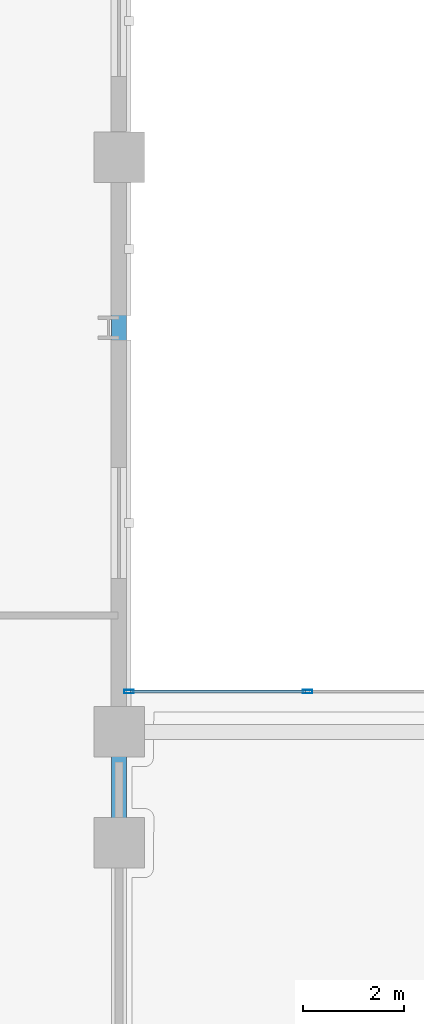
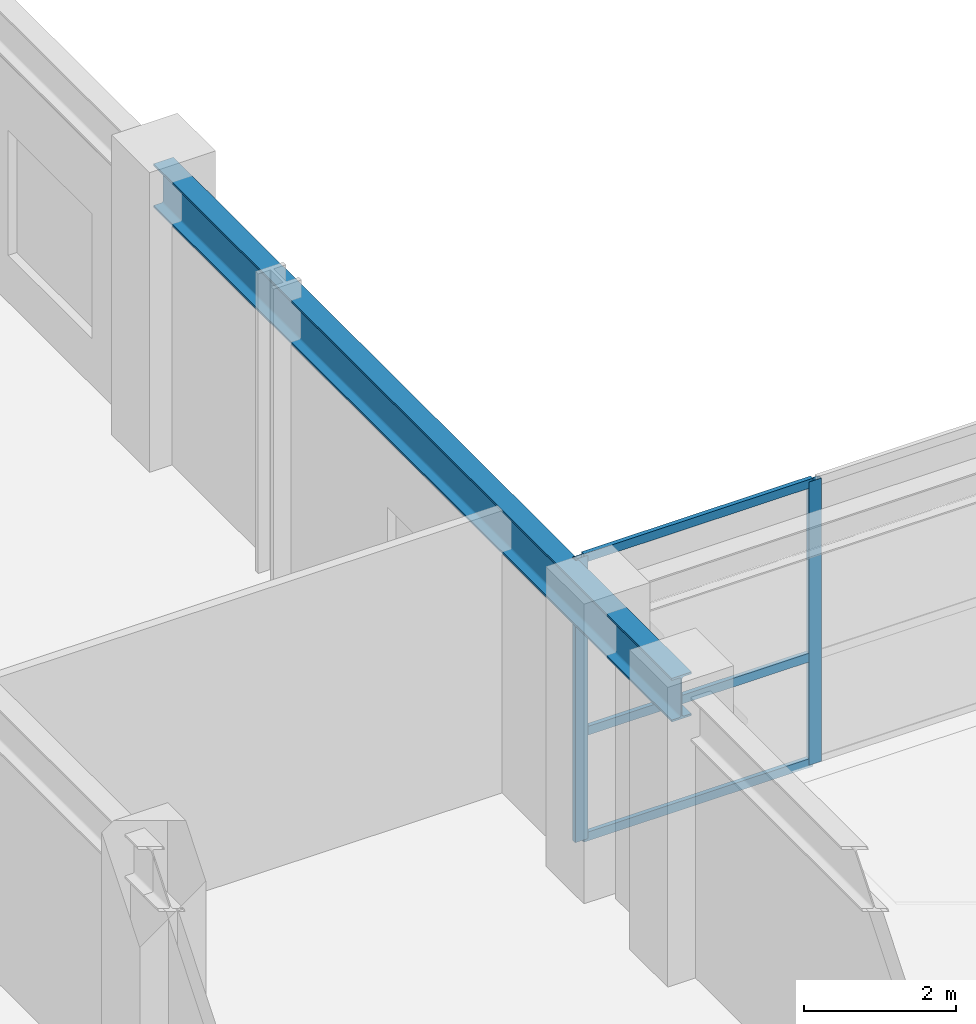
# One storey, part 19 of 48: 5 members, 1 beam, 1 element without a shape of its own.
"""IFC4 building model written with IfcOpenShell, lengths in metres."""

from ifc_helpers import new_model, si_unit, derived_unit, direction, frame, origin, origin_2d, place, context, subcontext, project, spatial, hollow_rectangle, i_section, extrude, source, transform, mapped, material, layer, layer_set, material_profile, profile_set, type_object, element, aggregate, save


model = new_model("IFC4")

# Units and contexts
model_context = context("Model", 3, precision=1e-05, world=origin(), true_north=direction((0.0, 1.0)))
body_context = subcontext(model_context, "Body", "Model", "MODEL_VIEW")
ifc_project = project(units=[si_unit("LENGTHUNIT", "METRE"), si_unit("AREAUNIT", "SQUARE_METRE"), si_unit("VOLUMEUNIT", "CUBIC_METRE"), si_unit("PLANEANGLEUNIT", "RADIAN"), si_unit("MASSUNIT", "GRAM", prefix="KILO"), derived_unit("THERMALTRANSMITTANCEUNIT", [(si_unit("POWERUNIT", "WATT"), 1), (si_unit("LENGTHUNIT", "METRE"), -2), (si_unit("THERMODYNAMICTEMPERATUREUNIT", "KELVIN"), -1)])], contexts=[model_context])

# Site, building, storey
site_placement = place(None, origin())
site = spatial("IfcSite", under=ifc_project, at=site_placement, CompositionType="ELEMENT")
building_placement = place(site_placement, origin())
building = spatial("IfcBuilding", under=site, at=building_placement, Name="Korsvarv Bourse and Concert Hall", CompositionType="ELEMENT")
storey_placement = place(building_placement, frame((0.0, 0.0, 4.800048828125)))
storey = spatial("IfcBuildingStorey", under=building, at=storey_placement, Name="L01", CompositionType="ELEMENT", Elevation=4.800048828125)

# Beam
ifc_material_1 = material(Name="Steel S355", Category="steel")
ifc_material_profile_1 = material_profile(ifc_material_1, i_section(OverallWidth=0.300048828125, OverallDepth=0.699951171875, WebThickness=0.01708984375, FlangeThickness=0.031982421875, FilletRadius=0.027099609375, at=origin_2d()), Name="HEB 700")
ifc_profile_set_1 = profile_set([ifc_material_profile_1], Name="Steel S355")
beam_type = type_object("IfcBeamType", Name="BM-HEB700", PredefinedType="BEAM", material=ifc_profile_set_1)
shared_shape_1 = source(origin(), body_context, "Body", "SweptSolid", [
    extrude(i_section(OverallWidth=0.300048828125, OverallDepth=0.699951171875, WebThickness=0.01708984375, FlangeThickness=0.031982421875, FilletRadius=0.027099609375, at=origin_2d()), origin(), (0.0, 0.0, 1.0), 13.60009765625),
])
beam_placement = place(storey_placement, frame((66.0, 40.0, 4.169921875), z_axis=(0.0, 1.0, 0.0), x_axis=(-1.0, 0.0, 0.0)))
element("IfcBeam", 1, at=beam_placement, inside=storey, type_object=beam_type, Name="L01 beam B-03", PredefinedType="BEAM", context=body_context, shape_type="MappedRepresentation", body=[
    mapped(shared_shape_1, transform((0.0, 0.0, 0.0), scale=1.0)),
])

# Curtain wall, members
ifc_material_2 = material(Name="Anodised aluminium and triple low-E glazing", Category="glass")
ifc_layer = layer(ifc_material_2, 0.239990234375)
ifc_layer_set = layer_set([ifc_layer], Name="Anodised aluminium and triple low-E glazing")
curtain_wall_type = type_object("IfcCurtainWallType", Name="CW-SYS-5", PredefinedType="NOTDEFINED", material=ifc_layer_set)
curtain_wall_placement = place(storey_placement, origin())
curtain_wall = element("IfcCurtainWall", 2, at=curtain_wall_placement, inside=storey, type_object=curtain_wall_type, Name="L01 CW5 curtain wall CW-L01-LKN", PredefinedType="NOTDEFINED")
ifc_material_3 = material(Name="Extruded aluminium EN AW-6063 T66", Category="aluminium")
ifc_material_profile_2 = material_profile(ifc_material_3, hollow_rectangle(XDim=0.070068359375, YDim=0.18994140625, WallThickness=0.0048828125, at=origin_2d()), Name="ALU-M 70x190")
ifc_profile_set_2 = profile_set([ifc_material_profile_2], Name="Extruded aluminium EN AW-6063 T66")
member_type_1 = type_object("IfcMemberType", Name="CWM-190", PredefinedType="MULLION", material=ifc_profile_set_2)
shared_shape_2 = source(origin(), body_context, "Body", "SweptSolid", [
    extrude(hollow_rectangle(XDim=0.070068359375, YDim=0.18994140625, WallThickness=0.0048828125, at=origin_2d()), origin(), (0.0, 0.0, 1.0), 4.5400390625),
])
member_1_placement = place(storey_placement, frame((66.195068359375, 43.0, 0.0), z_axis=(0.0, 0.0, 1.0), x_axis=(0.0, 1.0, 0.0)))
member_1 = element("IfcMember", 3, at=member_1_placement, type_object=member_type_1, Name="CW5 mullion 1", PredefinedType="MULLION", context=body_context, shape_type="MappedRepresentation", body=[
    mapped(shared_shape_2, transform((0.0, 0.0, 0.0), scale=1.0)),
])
member_2_placement = place(storey_placement, frame((69.739990234375, 43.0, 0.0), z_axis=(0.0, 0.0, 1.0), x_axis=(0.0, 1.0, 0.0)))
member_2 = element("IfcMember", 4, at=member_2_placement, type_object=member_type_1, Name="CW5 mullion 2", PredefinedType="MULLION", context=body_context, shape_type="MappedRepresentation", body=[
    mapped(shared_shape_2, transform((0.0, 0.0, 0.0), scale=1.0)),
])
ifc_material_profile_3 = material_profile(ifc_material_3, hollow_rectangle(XDim=0.06494140625, YDim=0.139892578125, WallThickness=0.00390625, at=origin_2d()), Name="ALU-T 65x140")
ifc_profile_set_3 = profile_set([ifc_material_profile_3], Name="Extruded aluminium EN AW-6063 T66")
member_type_2 = type_object("IfcMemberType", Name="CWT-140", PredefinedType="USERDEFINED", material=ifc_profile_set_3)
shared_shape_3 = source(origin(), body_context, "Body", "SweptSolid", [
    extrude(hollow_rectangle(XDim=0.06494140625, YDim=0.139892578125, WallThickness=0.00390625, at=origin_2d()), origin(), (0.0, 0.0, 1.0), 3.47509765625),
])
member_3_placement = place(storey_placement, frame((66.22998046875, 43.0, 0.032470703125), z_axis=(1.0, 0.0, 0.0), x_axis=(0.0, 1.0, 0.0)))
member_3 = element("IfcMember", 5, at=member_3_placement, type_object=member_type_2, Name="CW5 transom 1.1", ObjectType="TRANSOM", PredefinedType="USERDEFINED", context=body_context, shape_type="MappedRepresentation", body=[
    mapped(shared_shape_3, transform((0.0, 0.0, 0.0), scale=1.0)),
])
member_4_placement = place(storey_placement, frame((66.22998046875, 43.0, 1.72509765625), z_axis=(1.0, 0.0, 0.0), x_axis=(0.0, 1.0, 0.0)))
member_4 = element("IfcMember", 6, at=member_4_placement, type_object=member_type_2, Name="CW5 transom 1.2", ObjectType="TRANSOM", PredefinedType="USERDEFINED", context=body_context, shape_type="MappedRepresentation", body=[
    mapped(shared_shape_3, transform((0.0, 0.0, 0.0), scale=1.0)),
])
member_5_placement = place(storey_placement, frame((66.22998046875, 43.0, 4.507568359375), z_axis=(1.0, 0.0, 0.0), x_axis=(0.0, 1.0, 0.0)))
member_5 = element("IfcMember", 7, at=member_5_placement, type_object=member_type_2, Name="CW5 transom 1.3", ObjectType="TRANSOM", PredefinedType="USERDEFINED", context=body_context, shape_type="MappedRepresentation", body=[
    mapped(shared_shape_3, transform((0.0, 0.0, 0.0), scale=1.0)),
])
aggregate(curtain_wall, [member_1, member_2, member_3, member_4, member_5])

save(model, "model.ifc")
